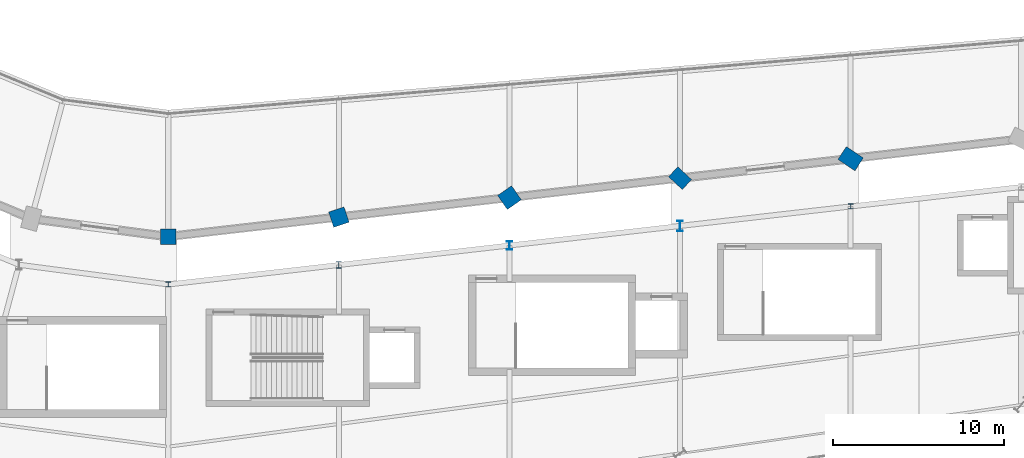
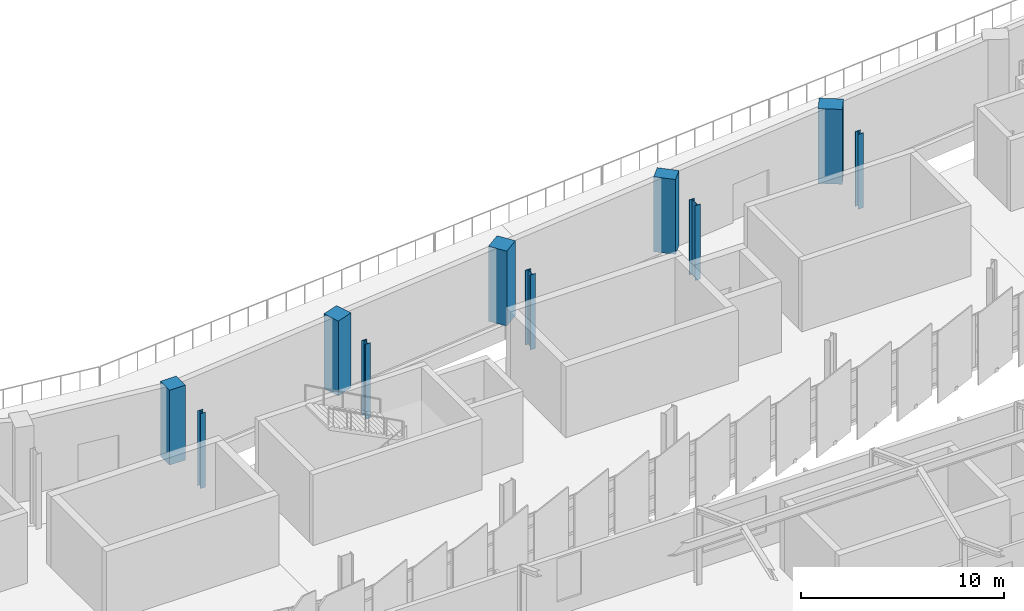
# One storey, part 6 of 87: 10 columns.
"""IFC4 building model written with IfcOpenShell, lengths in metres."""

from ifc_helpers import new_model, si_unit, direction, frame, origin, origin_2d, place, context, subcontext, project, spatial, rectangle, i_section, extrude, material, material_profile, profile_set, type_object, element, save


model = new_model("IFC4")

# Units and contexts
model_context = context("Model", 3, precision=1e-05, world=origin(), true_north=direction((0.0, 1.0)))
body_context = subcontext(model_context, "Body", "Model", "MODEL_VIEW")
ifc_project = project(units=[si_unit("LENGTHUNIT", "METRE"), si_unit("AREAUNIT", "SQUARE_METRE"), si_unit("VOLUMEUNIT", "CUBIC_METRE"), si_unit("PLANEANGLEUNIT", "RADIAN"), si_unit("MASSUNIT", "GRAM", prefix="KILO")], contexts=[model_context])

# Site, building, storey
site_placement = place(None, origin())
site = spatial("IfcSite", under=ifc_project, at=site_placement, CompositionType="ELEMENT")
building_placement = place(site_placement, origin())
building = spatial("IfcBuilding", under=site, at=building_placement, Name="Sohan Crest Arena", CompositionType="ELEMENT")
storey_placement = place(building_placement, frame((0.0, 0.0, 18.0)))
storey = spatial("IfcBuildingStorey", under=building, at=storey_placement, Name="L04", CompositionType="ELEMENT", Elevation=18.0)

# Columns
ifc_material_1 = material(Name="Concrete C40/50", Category="concrete")
ifc_material_profile_1 = material_profile(ifc_material_1, rectangle(XDim=0.89990234375, YDim=0.89990234375, at=origin_2d()), Name="RC 900x900")
ifc_profile_set_1 = profile_set([ifc_material_profile_1], Name="Concrete C40/50")
column_type_1 = type_object("IfcColumnType", Name="STR-COL-C07", PredefinedType="COLUMN", material=ifc_profile_set_1)
column_1_placement = place(storey_placement, frame((98.0, 47.0, 0.0), z_axis=(0.0, 0.0, 1.0), x_axis=(0.0, 1.0, 0.0)))
element("IfcColumn", 1, at=column_1_placement, inside=storey, type_object=column_type_1, Name="Structural column COL-V1R-13-L04", PredefinedType="COLUMN", context=body_context, shape_type="SweptSolid", body=[
    extrude(rectangle(XDim=0.89990234375, YDim=0.89990234375, at=origin_2d()), origin(), (0.0, 0.0, 1.0), 4.5),
])
ifc_material_profile_2 = material_profile(ifc_material_1, rectangle(XDim=0.949951171875, YDim=0.949951171875, at=origin_2d()), Name="RC 950x950")
ifc_profile_set_2 = profile_set([ifc_material_profile_2], Name="Concrete C40/50")
column_type_2 = type_object("IfcColumnType", Name="STR-COL-C08", PredefinedType="COLUMN", material=ifc_profile_set_2)
column_2_placement = place(storey_placement, frame((108.0, 48.14306640625, 0.0), z_axis=(0.0, 0.0, 1.0), x_axis=(-0.317304656405, 0.948323655206, 0.0)))
element("IfcColumn", 2, at=column_2_placement, inside=storey, type_object=column_type_2, Name="Structural column COL-V1R-14-L04", PredefinedType="COLUMN", context=body_context, shape_type="SweptSolid", body=[
    extrude(rectangle(XDim=0.949951171875, YDim=0.949951171875, at=origin_2d()), origin(), (0.0, 0.0, 1.0), 4.5),
])
ifc_material_profile_3 = material_profile(ifc_material_1, rectangle(XDim=1.0, YDim=1.0, at=origin_2d()), Name="RC 1000x1000")
ifc_profile_set_3 = profile_set([ifc_material_profile_3], Name="Concrete C40/50")
column_type_3 = type_object("IfcColumnType", Name="STR-COL-C09", PredefinedType="COLUMN", material=ifc_profile_set_3)
column_3_placement = place(storey_placement, frame((118.0, 49.285888671875, 0.0), z_axis=(0.0, 0.0, 1.0), x_axis=(-0.572145873446, 0.820151875874, 0.0)))
element("IfcColumn", 3, at=column_3_placement, inside=storey, type_object=column_type_3, Name="Structural column COL-V1R-15-L04", PredefinedType="COLUMN", context=body_context, shape_type="SweptSolid", body=[
    extrude(rectangle(XDim=1.0, YDim=1.0, at=origin_2d()), origin(), (0.0, 0.0, 1.0), 4.5),
])
ifc_material_profile_4 = material_profile(ifc_material_1, rectangle(XDim=1.10009765625, YDim=0.800048828125, at=origin_2d()), Name="RC 1100x800")
ifc_profile_set_4 = profile_set([ifc_material_profile_4], Name="Concrete C40/50")
column_type_4 = type_object("IfcColumnType", Name="STR-COL-C10", PredefinedType="COLUMN", material=ifc_profile_set_4)
column_4_placement = place(storey_placement, frame((128.0, 50.428955078125, 0.0), z_axis=(0.0, 0.0, 1.0), x_axis=(-0.73609708712, 0.676875969683, 0.0)))
element("IfcColumn", 4, at=column_4_placement, inside=storey, type_object=column_type_4, Name="Structural column COL-V1R-16-L04", PredefinedType="COLUMN", context=body_context, shape_type="SweptSolid", body=[
    extrude(rectangle(XDim=1.10009765625, YDim=0.800048828125, at=origin_2d()), origin(), (0.0, 0.0, 1.0), 4.5),
])
ifc_material_profile_5 = material_profile(ifc_material_1, rectangle(XDim=1.199951171875, YDim=0.89990234375, at=origin_2d()), Name="RC 1200x900")
ifc_profile_set_5 = profile_set([ifc_material_profile_5], Name="Concrete C40/50")
column_type_5 = type_object("IfcColumnType", Name="STR-COL-C11", PredefinedType="COLUMN", material=ifc_profile_set_5)
column_5_placement = place(storey_placement, frame((138.0, 51.571044921875, 0.0), z_axis=(0.0, 0.0, 1.0), x_axis=(-0.833885822067, 0.551936985312, 0.0)))
element("IfcColumn", 5, at=column_5_placement, inside=storey, type_object=column_type_5, Name="Structural column COL-V1R-17-L04", PredefinedType="COLUMN", context=body_context, shape_type="SweptSolid", body=[
    extrude(rectangle(XDim=1.199951171875, YDim=0.89990234375, at=origin_2d()), origin(), (0.0, 0.0, 1.0), 4.5),
])
ifc_material_2 = material(Name="Steel S355", Category="steel")
ifc_material_profile_6 = material_profile(ifc_material_2, i_section(OverallWidth=0.300048828125, OverallDepth=0.300048828125, WebThickness=0.010986328125, FlangeThickness=0.01904296875, at=origin_2d()), Name="HEB 300")
ifc_profile_set_6 = profile_set([ifc_material_profile_6], Name="Steel S355")
column_type_6 = type_object("IfcColumnType", Name="STR-COL-C17", PredefinedType="COLUMN", material=ifc_profile_set_6)
for number, where, z_axis, x_axis, name in (
    (6, (98.0, 44.199951171875, 0.0), (0.0, 0.0, 1.0), (1.0, 0.0, 0.0), "Structural column COL-V2I-13-L04"),
    (7, (138.0, 48.77099609375, 0.0), (0.0, 0.0, 1.0), (1.0, 0.0, 0.0), "Structural column COL-V2I-17-L04"),
):
    element("IfcColumn", number, at=place(storey_placement, frame(where, z_axis=z_axis, x_axis=x_axis)), inside=storey, type_object=column_type_6, Name=name, PredefinedType="COLUMN", context=body_context, shape_type="SweptSolid", body=[
        extrude(i_section(OverallWidth=0.300048828125, OverallDepth=0.300048828125, WebThickness=0.010986328125, FlangeThickness=0.01904296875, at=origin_2d()), origin(), (0.0, 0.0, 1.0), 4.5),
    ])
ifc_material_profile_7 = material_profile(ifc_material_2, i_section(OverallWidth=0.300048828125, OverallDepth=0.39990234375, WebThickness=0.013427734375, FlangeThickness=0.02392578125, at=origin_2d()), Name="HEB 400")
ifc_profile_set_7 = profile_set([ifc_material_profile_7], Name="Steel S355")
column_type_7 = type_object("IfcColumnType", Name="STR-COL-C18", PredefinedType="COLUMN", material=ifc_profile_set_7)
column_6_placement = place(storey_placement, frame((108.0, 45.343017578125, 0.0), z_axis=(0.0, 0.0, 1.0), x_axis=(1.0, 0.0, 0.0)))
element("IfcColumn", 8, at=column_6_placement, inside=storey, type_object=column_type_7, Name="Structural column COL-V2I-14-L04", PredefinedType="COLUMN", context=body_context, shape_type="SweptSolid", body=[
    extrude(i_section(OverallWidth=0.300048828125, OverallDepth=0.39990234375, WebThickness=0.013427734375, FlangeThickness=0.02392578125, at=origin_2d()), origin(), (0.0, 0.0, 1.0), 4.5),
])
ifc_material_profile_8 = material_profile(ifc_material_2, i_section(OverallWidth=0.300048828125, OverallDepth=0.5, WebThickness=0.014404296875, FlangeThickness=0.028076171875, at=origin_2d()), Name="HEB 500")
ifc_profile_set_8 = profile_set([ifc_material_profile_8], Name="Steel S355")
column_type_8 = type_object("IfcColumnType", Name="STR-COL-C19", PredefinedType="COLUMN", material=ifc_profile_set_8)
column_7_placement = place(storey_placement, frame((118.0, 46.486083984375, 0.0), z_axis=(0.0, 0.0, 1.0), x_axis=(1.0, 0.0, 0.0)))
element("IfcColumn", 9, at=column_7_placement, inside=storey, type_object=column_type_8, Name="Structural column COL-V2I-15-L04", PredefinedType="COLUMN", context=body_context, shape_type="SweptSolid", body=[
    extrude(i_section(OverallWidth=0.300048828125, OverallDepth=0.5, WebThickness=0.014404296875, FlangeThickness=0.028076171875, at=origin_2d()), origin(), (0.0, 0.0, 1.0), 4.5),
])
ifc_material_profile_9 = material_profile(ifc_material_2, i_section(OverallWidth=0.300048828125, OverallDepth=0.60009765625, WebThickness=0.015380859375, FlangeThickness=0.030029296875, at=origin_2d()), Name="HEB 600")
ifc_profile_set_9 = profile_set([ifc_material_profile_9], Name="Steel S355")
column_type_9 = type_object("IfcColumnType", Name="STR-COL-C20", PredefinedType="COLUMN", material=ifc_profile_set_9)
column_8_placement = place(storey_placement, frame((128.0, 47.62890625, 0.0), z_axis=(0.0, 0.0, 1.0), x_axis=(1.0, 0.0, 0.0)))
element("IfcColumn", 10, at=column_8_placement, inside=storey, type_object=column_type_9, Name="Structural column COL-V2I-16-L04", PredefinedType="COLUMN", context=body_context, shape_type="SweptSolid", body=[
    extrude(i_section(OverallWidth=0.300048828125, OverallDepth=0.60009765625, WebThickness=0.015380859375, FlangeThickness=0.030029296875, at=origin_2d()), origin(), (0.0, 0.0, 1.0), 4.5),
])

save(model, "model.ifc")
